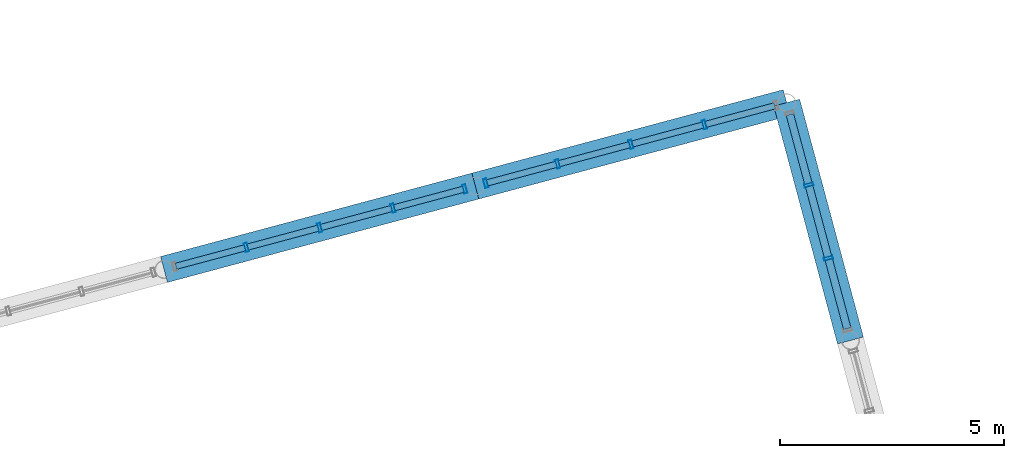
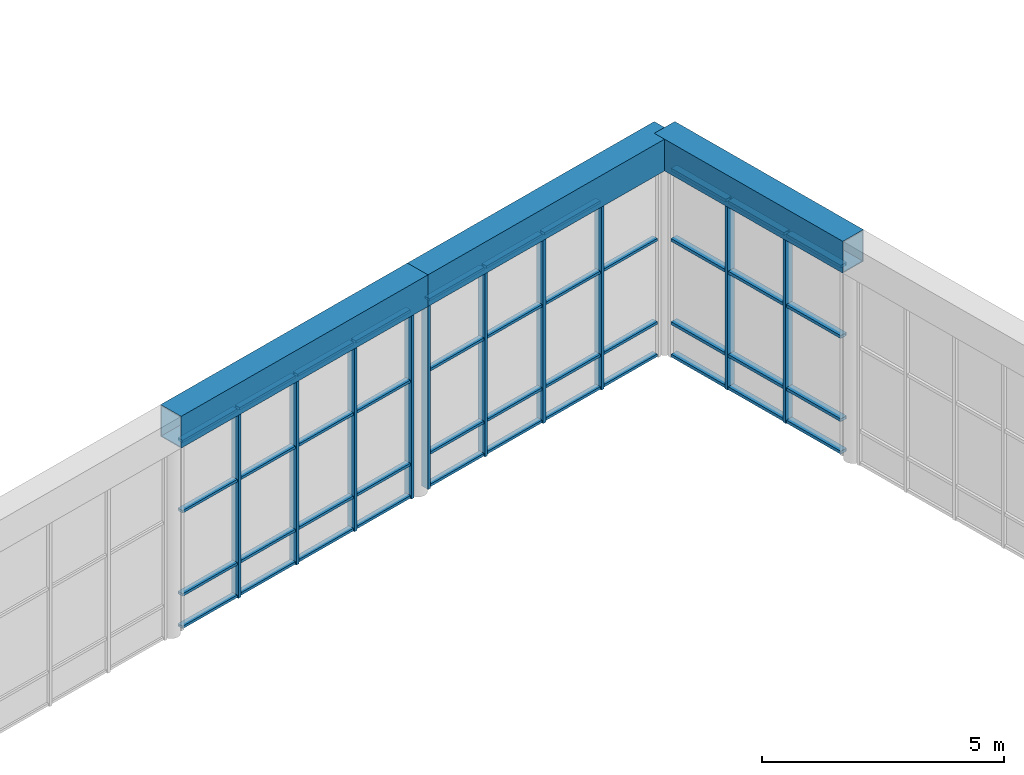
# One storey, part 35 of 55: 53 members, 3 beams, 3 elements without a shape of their own.
"""IFC4 building model written with IfcOpenShell, lengths in metres."""

from ifc_helpers import new_model, si_unit, direction, frame, origin, origin_2d, place, context, subcontext, project, spatial, hollow_rectangle, extrude, material, layer, layer_set, material_profile, profile_set, type_object, element, aggregate, save


model = new_model("IFC4")

# Units and contexts
model_context = context("Model", 3, precision=1e-05, world=origin(), true_north=direction((0.0, 1.0)))
body_context = subcontext(model_context, "Body", "Model", "MODEL_VIEW")
ifc_project = project(units=[si_unit("LENGTHUNIT", "METRE"), si_unit("AREAUNIT", "SQUARE_METRE"), si_unit("VOLUMEUNIT", "CUBIC_METRE"), si_unit("PLANEANGLEUNIT", "RADIAN"), si_unit("MASSUNIT", "GRAM", prefix="KILO")], contexts=[model_context])

# Site, building, storey
site_placement = place(None, origin())
site = spatial("IfcSite", under=ifc_project, at=site_placement, CompositionType="ELEMENT")
building_placement = place(site_placement, origin())
building = spatial("IfcBuilding", under=site, at=building_placement, Name="Ventoquebrada Cableway Terminal", CompositionType="ELEMENT")
storey_placement = place(building_placement, frame((0.0, 0.0, 14.39990234375)))
storey = spatial("IfcBuildingStorey", under=building, at=storey_placement, Name="L03", CompositionType="ELEMENT", Elevation=14.39990234375)

# Curtain wall, members
ifc_material_1 = material(Name="Anodized thermally-broken aluminium", Category="aluminium")
ifc_layer_1 = layer(ifc_material_1, 0.159912109375)
ifc_layer_set_1 = layer_set([ifc_layer_1], Name="Anodized thermally-broken aluminium")
curtain_wall_type_1 = type_object("IfcCurtainWallType", Name="CW-T42", PredefinedType="USERDEFINED", material=ifc_layer_set_1)
curtain_wall_1_placement = place(storey_placement, origin())
curtain_wall_1 = element("IfcCurtainWall", 1, at=curtain_wall_1_placement, inside=storey, type_object=curtain_wall_type_1, Name="Unitised glazed curtain wall CW-123", ObjectType="UNITISED CURTAIN WALL", PredefinedType="USERDEFINED")
ifc_material_profile_1 = material_profile(ifc_material_1, hollow_rectangle(XDim=0.074951171875, YDim=0.199951171875, WallThickness=0.00439453125, at=origin_2d()), Name="CW-MUL-75X200")
ifc_profile_set_1 = profile_set([ifc_material_profile_1], Name="Anodized thermally-broken aluminium")
member_type_1 = type_object("IfcMemberType", Name="CWM-02", PredefinedType="MULLION", material=ifc_profile_set_1)
member_1_placement = place(storey_placement, frame((72.83203125, 102.2890625, -0.0078125), z_axis=(0.0, 0.0, 1.0), x_axis=(-0.965948408834, -0.258734751187, 0.0)))
member_1 = element("IfcMember", 2, at=member_1_placement, type_object=member_type_1, Name="Curtain wall mullion FML-0596", PredefinedType="MULLION", context=body_context, shape_type="SweptSolid", body=[
    extrude(hollow_rectangle(XDim=0.074951171875, YDim=0.199951171875, WallThickness=0.00439453125, at=origin_2d()), origin(), (0.0, 0.0, 1.0), 4.762939453125),
])
member_2_placement = place(storey_placement, frame((71.22802734375, 101.85888671875, -0.0078125), z_axis=(0.0, 0.0, 1.0), x_axis=(-0.965948408834, -0.258734751187, 0.0)))
member_2 = element("IfcMember", 3, at=member_2_placement, type_object=member_type_1, Name="Curtain wall mullion FML-0597", PredefinedType="MULLION", context=body_context, shape_type="SweptSolid", body=[
    extrude(hollow_rectangle(XDim=0.074951171875, YDim=0.199951171875, WallThickness=0.00439453125, at=origin_2d()), origin(), (0.0, 0.0, 1.0), 4.762939453125),
])
member_3_placement = place(storey_placement, frame((69.590087890625, 101.4208984375, -0.0078125), z_axis=(0.0, 0.0, 1.0), x_axis=(-0.965948408834, -0.258734751187, 0.0)))
member_3 = element("IfcMember", 4, at=member_3_placement, type_object=member_type_1, Name="Curtain wall mullion FML-0598", PredefinedType="MULLION", context=body_context, shape_type="SweptSolid", body=[
    extrude(hollow_rectangle(XDim=0.074951171875, YDim=0.199951171875, WallThickness=0.00439453125, at=origin_2d()), origin(), (0.0, 0.0, 1.0), 4.762939453125),
])
member_4_placement = place(storey_placement, frame((67.951904296875, 100.98193359375, -0.0078125), z_axis=(0.0, 0.0, 1.0), x_axis=(-0.965948408834, -0.258734751187, 0.0)))
member_4 = element("IfcMember", 5, at=member_4_placement, type_object=member_type_1, Name="Curtain wall mullion FML-0599", PredefinedType="MULLION", context=body_context, shape_type="SweptSolid", body=[
    extrude(hollow_rectangle(XDim=0.074951171875, YDim=0.199951171875, WallThickness=0.00439453125, at=origin_2d()), origin(), (0.0, 0.0, 1.0), 4.762939453125),
])

curtain_wall_2_placement = place(storey_placement, origin())
curtain_wall_2 = element("IfcCurtainWall", 6, at=curtain_wall_2_placement, inside=storey, type_object=curtain_wall_type_1, Name="Unitised glazed curtain wall CW-124", ObjectType="UNITISED CURTAIN WALL", PredefinedType="USERDEFINED")
member_5_placement = place(storey_placement, frame((78.18310546875, 103.722900390625, -0.0078125), z_axis=(0.0, 0.0, 1.0), x_axis=(-0.965921308897, -0.258835903649, 0.0)))
member_5 = element("IfcMember", 7, at=member_5_placement, type_object=member_type_1, Name="Curtain wall mullion FML-0602", PredefinedType="MULLION", context=body_context, shape_type="SweptSolid", body=[
    extrude(hollow_rectangle(XDim=0.074951171875, YDim=0.199951171875, WallThickness=0.00439453125, at=origin_2d()), origin(), (0.0, 0.0, 1.0), 4.762939453125),
])
member_6_placement = place(storey_placement, frame((76.5439453125, 103.283935546875, -0.0078125), z_axis=(0.0, 0.0, 1.0), x_axis=(-0.965921308897, -0.258835903649, 0.0)))
member_6 = element("IfcMember", 8, at=member_6_placement, type_object=member_type_1, Name="Curtain wall mullion FML-0603", PredefinedType="MULLION", context=body_context, shape_type="SweptSolid", body=[
    extrude(hollow_rectangle(XDim=0.074951171875, YDim=0.199951171875, WallThickness=0.00439453125, at=origin_2d()), origin(), (0.0, 0.0, 1.0), 4.762939453125),
])
member_7_placement = place(storey_placement, frame((74.906005859375, 102.844970703125, -0.0078125), z_axis=(0.0, 0.0, 1.0), x_axis=(-0.965921308897, -0.258835903649, 0.0)))
member_7 = element("IfcMember", 9, at=member_7_placement, type_object=member_type_1, Name="Curtain wall mullion FML-0604", PredefinedType="MULLION", context=body_context, shape_type="SweptSolid", body=[
    extrude(hollow_rectangle(XDim=0.074951171875, YDim=0.199951171875, WallThickness=0.00439453125, at=origin_2d()), origin(), (0.0, 0.0, 1.0), 4.762939453125),
])
member_8_placement = place(storey_placement, frame((73.302001953125, 102.4150390625, -0.0078125), z_axis=(0.0, 0.0, 1.0), x_axis=(-0.965921308897, -0.258835903649, 0.0)))
member_8 = element("IfcMember", 10, at=member_8_placement, type_object=member_type_1, Name="Curtain wall mullion FML-0605", PredefinedType="MULLION", context=body_context, shape_type="SweptSolid", body=[
    extrude(hollow_rectangle(XDim=0.074951171875, YDim=0.199951171875, WallThickness=0.00439453125, at=origin_2d()), origin(), (0.0, 0.0, 1.0), 4.762939453125),
])

ifc_layer_2 = layer(ifc_material_1, 0.159912109375)
ifc_layer_set_2 = layer_set([ifc_layer_2], Name="Anodized thermally-broken aluminium")
curtain_wall_type_2 = type_object("IfcCurtainWallType", Name="CW-T43", PredefinedType="USERDEFINED", material=ifc_layer_set_2)
curtain_wall_3_placement = place(storey_placement, origin())
curtain_wall_3 = element("IfcCurtainWall", 11, at=curtain_wall_3_placement, inside=storey, type_object=curtain_wall_type_2, Name="Unitised glazed curtain wall CW-132", ObjectType="UNITISED CURTAIN WALL", PredefinedType="USERDEFINED")
member_9_placement = place(storey_placement, frame((80.952880859375, 100.740966796875, -0.0078125), z_axis=(0.0, 0.0, 1.0), x_axis=(-0.258835903649, 0.965921308897, 0.0)))
member_9 = element("IfcMember", 12, at=member_9_placement, type_object=member_type_1, Name="Curtain wall mullion FML-0643", PredefinedType="MULLION", context=body_context, shape_type="SweptSolid", body=[
    extrude(hollow_rectangle(XDim=0.074951171875, YDim=0.199951171875, WallThickness=0.00439453125, at=origin_2d()), origin(), (0.0, 0.0, 1.0), 4.762939453125),
])
member_10_placement = place(storey_placement, frame((80.514892578125, 102.3779296875, -0.0078125), z_axis=(0.0, 0.0, 1.0), x_axis=(-0.258835903649, 0.965921308897, 0.0)))
member_10 = element("IfcMember", 13, at=member_10_placement, type_object=member_type_1, Name="Curtain wall mullion FML-0644", PredefinedType="MULLION", context=body_context, shape_type="SweptSolid", body=[
    extrude(hollow_rectangle(XDim=0.074951171875, YDim=0.199951171875, WallThickness=0.00439453125, at=origin_2d()), origin(), (0.0, 0.0, 1.0), 4.762939453125),
])

# Member
ifc_material_profile_2 = material_profile(ifc_material_1, hollow_rectangle(XDim=0.06494140625, YDim=0.139892578125, WallThickness=0.00390625, at=origin_2d()), Name="CW-TRN-65X140")
ifc_profile_set_2 = profile_set([ifc_material_profile_2], Name="Anodized thermally-broken aluminium")
member_type_2 = type_object("IfcMemberType", Name="CWT-01", PredefinedType="USERDEFINED", material=ifc_profile_set_2)
member_11_placement = place(storey_placement, frame((72.801025390625, 102.281005859375, 0.03515625), z_axis=(-0.96593986049, -0.25876666307, 0.0), x_axis=(0.0, 0.0, 1.0)))
member_11 = element("IfcMember", 14, at=member_11_placement, type_object=member_type_2, Name="Curtain wall transom FTR-1760", ObjectType="TRANSOM", PredefinedType="USERDEFINED", context=body_context, shape_type="SweptSolid", body=[
    extrude(hollow_rectangle(XDim=0.06494140625, YDim=0.139892578125, WallThickness=0.00390625, at=origin_2d()), origin(), (0.0, 0.0, 1.0), 1.596435546875),
])

member_12_placement = place(storey_placement, frame((72.801025390625, 102.281005859375, 0.85009765625), z_axis=(-0.96593986049, -0.25876666307, 0.0), x_axis=(0.0, 0.0, 1.0)))
member_12 = element("IfcMember", 15, at=member_12_placement, type_object=member_type_2, Name="Curtain wall transom FTR-1761", ObjectType="TRANSOM", PredefinedType="USERDEFINED", context=body_context, shape_type="SweptSolid", body=[
    extrude(hollow_rectangle(XDim=0.06494140625, YDim=0.139892578125, WallThickness=0.00390625, at=origin_2d()), origin(), (0.0, 0.0, 1.0), 1.596435546875),
])

member_13_placement = place(storey_placement, frame((72.801025390625, 102.281005859375, 2.945068359375), z_axis=(-0.96593986049, -0.25876666307, 0.0), x_axis=(0.0, 0.0, 1.0)))
member_13 = element("IfcMember", 16, at=member_13_placement, type_object=member_type_2, Name="Curtain wall transom FTR-1762", ObjectType="TRANSOM", PredefinedType="USERDEFINED", context=body_context, shape_type="SweptSolid", body=[
    extrude(hollow_rectangle(XDim=0.06494140625, YDim=0.139892578125, WallThickness=0.00390625, at=origin_2d()), origin(), (0.0, 0.0, 1.0), 1.596435546875),
])

member_14_placement = place(storey_placement, frame((72.801025390625, 102.281005859375, 4.715087890625), z_axis=(-0.96593986049, -0.25876666307, 0.0), x_axis=(0.0, 0.0, 1.0)))
member_14 = element("IfcMember", 17, at=member_14_placement, type_object=member_type_2, Name="Curtain wall transom FTR-1763", ObjectType="TRANSOM", PredefinedType="USERDEFINED", context=body_context, shape_type="SweptSolid", body=[
    extrude(hollow_rectangle(XDim=0.06494140625, YDim=0.139892578125, WallThickness=0.00390625, at=origin_2d()), origin(), (0.0, 0.0, 1.0), 1.596435546875),
])

member_15_placement = place(storey_placement, frame((71.197021484375, 101.85107421875, 0.03515625), z_axis=(-0.965948719353, -0.258733591907, 0.0), x_axis=(0.0, 0.0, 1.0)))
member_15 = element("IfcMember", 18, at=member_15_placement, type_object=member_type_2, Name="Curtain wall transom FTR-1764", ObjectType="TRANSOM", PredefinedType="USERDEFINED", context=body_context, shape_type="SweptSolid", body=[
    extrude(hollow_rectangle(XDim=0.06494140625, YDim=0.139892578125, WallThickness=0.00390625, at=origin_2d()), origin(), (0.0, 0.0, 1.0), 1.631591796875),
])

member_16_placement = place(storey_placement, frame((71.197021484375, 101.85107421875, 0.85009765625), z_axis=(-0.965948719353, -0.258733591907, 0.0), x_axis=(0.0, 0.0, 1.0)))
member_16 = element("IfcMember", 19, at=member_16_placement, type_object=member_type_2, Name="Curtain wall transom FTR-1765", ObjectType="TRANSOM", PredefinedType="USERDEFINED", context=body_context, shape_type="SweptSolid", body=[
    extrude(hollow_rectangle(XDim=0.06494140625, YDim=0.139892578125, WallThickness=0.00390625, at=origin_2d()), origin(), (0.0, 0.0, 1.0), 1.631591796875),
])

member_17_placement = place(storey_placement, frame((71.197021484375, 101.85107421875, 2.945068359375), z_axis=(-0.965948719353, -0.258733591907, 0.0), x_axis=(0.0, 0.0, 1.0)))
member_17 = element("IfcMember", 20, at=member_17_placement, type_object=member_type_2, Name="Curtain wall transom FTR-1766", ObjectType="TRANSOM", PredefinedType="USERDEFINED", context=body_context, shape_type="SweptSolid", body=[
    extrude(hollow_rectangle(XDim=0.06494140625, YDim=0.139892578125, WallThickness=0.00390625, at=origin_2d()), origin(), (0.0, 0.0, 1.0), 1.631591796875),
])

member_18_placement = place(storey_placement, frame((71.197021484375, 101.85107421875, 4.715087890625), z_axis=(-0.965948719353, -0.258733591907, 0.0), x_axis=(0.0, 0.0, 1.0)))
member_18 = element("IfcMember", 21, at=member_18_placement, type_object=member_type_2, Name="Curtain wall transom FTR-1767", ObjectType="TRANSOM", PredefinedType="USERDEFINED", context=body_context, shape_type="SweptSolid", body=[
    extrude(hollow_rectangle(XDim=0.06494140625, YDim=0.139892578125, WallThickness=0.00390625, at=origin_2d()), origin(), (0.0, 0.0, 1.0), 1.631591796875),
])

member_19_placement = place(storey_placement, frame((69.55908203125, 101.412109375, 0.03515625), z_axis=(-0.965958734776, -0.258696197712, 0.0), x_axis=(0.0, 0.0, 1.0)))
member_19 = element("IfcMember", 22, at=member_19_placement, type_object=member_type_2, Name="Curtain wall transom FTR-1768", ObjectType="TRANSOM", PredefinedType="USERDEFINED", context=body_context, shape_type="SweptSolid", body=[
    extrude(hollow_rectangle(XDim=0.06494140625, YDim=0.139892578125, WallThickness=0.00390625, at=origin_2d()), origin(), (0.0, 0.0, 1.0), 1.6318359375),
])

member_20_placement = place(storey_placement, frame((69.55908203125, 101.412109375, 0.85009765625), z_axis=(-0.965958734776, -0.258696197712, 0.0), x_axis=(0.0, 0.0, 1.0)))
member_20 = element("IfcMember", 23, at=member_20_placement, type_object=member_type_2, Name="Curtain wall transom FTR-1769", ObjectType="TRANSOM", PredefinedType="USERDEFINED", context=body_context, shape_type="SweptSolid", body=[
    extrude(hollow_rectangle(XDim=0.06494140625, YDim=0.139892578125, WallThickness=0.00390625, at=origin_2d()), origin(), (0.0, 0.0, 1.0), 1.6318359375),
])

member_21_placement = place(storey_placement, frame((69.55908203125, 101.412109375, 2.945068359375), z_axis=(-0.965958734776, -0.258696197712, 0.0), x_axis=(0.0, 0.0, 1.0)))
member_21 = element("IfcMember", 24, at=member_21_placement, type_object=member_type_2, Name="Curtain wall transom FTR-1770", ObjectType="TRANSOM", PredefinedType="USERDEFINED", context=body_context, shape_type="SweptSolid", body=[
    extrude(hollow_rectangle(XDim=0.06494140625, YDim=0.139892578125, WallThickness=0.00390625, at=origin_2d()), origin(), (0.0, 0.0, 1.0), 1.6318359375),
])

member_22_placement = place(storey_placement, frame((69.55908203125, 101.412109375, 4.715087890625), z_axis=(-0.965958734776, -0.258696197712, 0.0), x_axis=(0.0, 0.0, 1.0)))
member_22 = element("IfcMember", 25, at=member_22_placement, type_object=member_type_2, Name="Curtain wall transom FTR-1771", ObjectType="TRANSOM", PredefinedType="USERDEFINED", context=body_context, shape_type="SweptSolid", body=[
    extrude(hollow_rectangle(XDim=0.06494140625, YDim=0.139892578125, WallThickness=0.00390625, at=origin_2d()), origin(), (0.0, 0.0, 1.0), 1.6318359375),
])

member_23_placement = place(storey_placement, frame((67.9208984375, 100.972900390625, 0.03515625), z_axis=(-0.965978078124, -0.258623959802, 0.0), x_axis=(0.0, 0.0, 1.0)))
member_23 = element("IfcMember", 26, at=member_23_placement, type_object=member_type_2, Name="Curtain wall transom FTR-1772", ObjectType="TRANSOM", PredefinedType="USERDEFINED", context=body_context, shape_type="SweptSolid", body=[
    extrude(hollow_rectangle(XDim=0.06494140625, YDim=0.139892578125, WallThickness=0.00390625, at=origin_2d()), origin(), (0.0, 0.0, 1.0), 1.59619140625),
])

member_24_placement = place(storey_placement, frame((67.9208984375, 100.972900390625, 0.85009765625), z_axis=(-0.965978078124, -0.258623959802, 0.0), x_axis=(0.0, 0.0, 1.0)))
member_24 = element("IfcMember", 27, at=member_24_placement, type_object=member_type_2, Name="Curtain wall transom FTR-1773", ObjectType="TRANSOM", PredefinedType="USERDEFINED", context=body_context, shape_type="SweptSolid", body=[
    extrude(hollow_rectangle(XDim=0.06494140625, YDim=0.139892578125, WallThickness=0.00390625, at=origin_2d()), origin(), (0.0, 0.0, 1.0), 1.59619140625),
])

member_25_placement = place(storey_placement, frame((67.9208984375, 100.972900390625, 2.945068359375), z_axis=(-0.965978078124, -0.258623959802, 0.0), x_axis=(0.0, 0.0, 1.0)))
member_25 = element("IfcMember", 28, at=member_25_placement, type_object=member_type_2, Name="Curtain wall transom FTR-1774", ObjectType="TRANSOM", PredefinedType="USERDEFINED", context=body_context, shape_type="SweptSolid", body=[
    extrude(hollow_rectangle(XDim=0.06494140625, YDim=0.139892578125, WallThickness=0.00390625, at=origin_2d()), origin(), (0.0, 0.0, 1.0), 1.59619140625),
])

member_26_placement = place(storey_placement, frame((67.9208984375, 100.972900390625, 4.715087890625), z_axis=(-0.965978078124, -0.258623959802, 0.0), x_axis=(0.0, 0.0, 1.0)))
member_26 = element("IfcMember", 29, at=member_26_placement, type_object=member_type_2, Name="Curtain wall transom FTR-1775", ObjectType="TRANSOM", PredefinedType="USERDEFINED", context=body_context, shape_type="SweptSolid", body=[
    extrude(hollow_rectangle(XDim=0.06494140625, YDim=0.139892578125, WallThickness=0.00390625, at=origin_2d()), origin(), (0.0, 0.0, 1.0), 1.59619140625),
])

aggregate(curtain_wall_1, [member_1, member_2, member_3, member_4, member_11, member_12, member_13, member_14, member_15, member_16, member_17, member_18, member_19, member_20, member_21, member_22, member_23, member_24, member_25, member_26])

member_27_placement = place(storey_placement, frame((79.756103515625, 104.14501953125, 0.03515625), z_axis=(-0.965786809484, -0.259337306663, 0.0), x_axis=(0.0, 0.0, 1.0)))
member_27 = element("IfcMember", 30, at=member_27_placement, type_object=member_type_2, Name="Curtain wall transom FTR-1776", ObjectType="TRANSOM", PredefinedType="USERDEFINED", context=body_context, shape_type="SweptSolid", body=[
    extrude(hollow_rectangle(XDim=0.06494140625, YDim=0.139892578125, WallThickness=0.00390625, at=origin_2d()), origin(), (0.0, 0.0, 1.0), 1.5966796875),
])

member_28_placement = place(storey_placement, frame((79.756103515625, 104.14501953125, 0.85009765625), z_axis=(-0.965786809484, -0.259337306663, 0.0), x_axis=(0.0, 0.0, 1.0)))
member_28 = element("IfcMember", 31, at=member_28_placement, type_object=member_type_2, Name="Curtain wall transom FTR-1777", ObjectType="TRANSOM", PredefinedType="USERDEFINED", context=body_context, shape_type="SweptSolid", body=[
    extrude(hollow_rectangle(XDim=0.06494140625, YDim=0.139892578125, WallThickness=0.00390625, at=origin_2d()), origin(), (0.0, 0.0, 1.0), 1.5966796875),
])

member_29_placement = place(storey_placement, frame((79.756103515625, 104.14501953125, 2.945068359375), z_axis=(-0.965786809484, -0.259337306663, 0.0), x_axis=(0.0, 0.0, 1.0)))
member_29 = element("IfcMember", 32, at=member_29_placement, type_object=member_type_2, Name="Curtain wall transom FTR-1778", ObjectType="TRANSOM", PredefinedType="USERDEFINED", context=body_context, shape_type="SweptSolid", body=[
    extrude(hollow_rectangle(XDim=0.06494140625, YDim=0.139892578125, WallThickness=0.00390625, at=origin_2d()), origin(), (0.0, 0.0, 1.0), 1.5966796875),
])

member_30_placement = place(storey_placement, frame((78.15087890625, 103.715087890625, 0.03515625), z_axis=(-0.965758711312, -0.259441923222, 0.0), x_axis=(0.0, 0.0, 1.0)))
member_30 = element("IfcMember", 33, at=member_30_placement, type_object=member_type_2, Name="Curtain wall transom FTR-1780", ObjectType="TRANSOM", PredefinedType="USERDEFINED", context=body_context, shape_type="SweptSolid", body=[
    extrude(hollow_rectangle(XDim=0.06494140625, YDim=0.139892578125, WallThickness=0.00390625, at=origin_2d()), origin(), (0.0, 0.0, 1.0), 1.630859375),
])

member_31_placement = place(storey_placement, frame((78.15087890625, 103.715087890625, 0.85009765625), z_axis=(-0.965758711312, -0.259441923222, 0.0), x_axis=(0.0, 0.0, 1.0)))
member_31 = element("IfcMember", 34, at=member_31_placement, type_object=member_type_2, Name="Curtain wall transom FTR-1781", ObjectType="TRANSOM", PredefinedType="USERDEFINED", context=body_context, shape_type="SweptSolid", body=[
    extrude(hollow_rectangle(XDim=0.06494140625, YDim=0.139892578125, WallThickness=0.00390625, at=origin_2d()), origin(), (0.0, 0.0, 1.0), 1.630859375),
])

member_32_placement = place(storey_placement, frame((78.15087890625, 103.715087890625, 2.945068359375), z_axis=(-0.965758711312, -0.259441923222, 0.0), x_axis=(0.0, 0.0, 1.0)))
member_32 = element("IfcMember", 35, at=member_32_placement, type_object=member_type_2, Name="Curtain wall transom FTR-1782", ObjectType="TRANSOM", PredefinedType="USERDEFINED", context=body_context, shape_type="SweptSolid", body=[
    extrude(hollow_rectangle(XDim=0.06494140625, YDim=0.139892578125, WallThickness=0.00390625, at=origin_2d()), origin(), (0.0, 0.0, 1.0), 1.630859375),
])

member_33_placement = place(storey_placement, frame((78.15087890625, 103.715087890625, 4.715087890625), z_axis=(-0.965758711312, -0.259441923222, 0.0), x_axis=(0.0, 0.0, 1.0)))
member_33 = element("IfcMember", 36, at=member_33_placement, type_object=member_type_2, Name="Curtain wall transom FTR-1783", ObjectType="TRANSOM", PredefinedType="USERDEFINED", context=body_context, shape_type="SweptSolid", body=[
    extrude(hollow_rectangle(XDim=0.06494140625, YDim=0.139892578125, WallThickness=0.00390625, at=origin_2d()), origin(), (0.0, 0.0, 1.0), 1.630859375),
])

member_34_placement = place(storey_placement, frame((76.512939453125, 103.27587890625, 0.03515625), z_axis=(-0.96579621296, -0.259302285048, 0.0), x_axis=(0.0, 0.0, 1.0)))
member_34 = element("IfcMember", 37, at=member_34_placement, type_object=member_type_2, Name="Curtain wall transom FTR-1784", ObjectType="TRANSOM", PredefinedType="USERDEFINED", context=body_context, shape_type="SweptSolid", body=[
    extrude(hollow_rectangle(XDim=0.06494140625, YDim=0.139892578125, WallThickness=0.00390625, at=origin_2d()), origin(), (0.0, 0.0, 1.0), 1.630615234375),
])

member_35_placement = place(storey_placement, frame((76.512939453125, 103.27587890625, 0.85009765625), z_axis=(-0.96579621296, -0.259302285048, 0.0), x_axis=(0.0, 0.0, 1.0)))
member_35 = element("IfcMember", 38, at=member_35_placement, type_object=member_type_2, Name="Curtain wall transom FTR-1785", ObjectType="TRANSOM", PredefinedType="USERDEFINED", context=body_context, shape_type="SweptSolid", body=[
    extrude(hollow_rectangle(XDim=0.06494140625, YDim=0.139892578125, WallThickness=0.00390625, at=origin_2d()), origin(), (0.0, 0.0, 1.0), 1.630615234375),
])

member_36_placement = place(storey_placement, frame((76.512939453125, 103.27587890625, 2.945068359375), z_axis=(-0.96579621296, -0.259302285048, 0.0), x_axis=(0.0, 0.0, 1.0)))
member_36 = element("IfcMember", 39, at=member_36_placement, type_object=member_type_2, Name="Curtain wall transom FTR-1786", ObjectType="TRANSOM", PredefinedType="USERDEFINED", context=body_context, shape_type="SweptSolid", body=[
    extrude(hollow_rectangle(XDim=0.06494140625, YDim=0.139892578125, WallThickness=0.00390625, at=origin_2d()), origin(), (0.0, 0.0, 1.0), 1.630615234375),
])

member_37_placement = place(storey_placement, frame((76.512939453125, 103.27587890625, 4.715087890625), z_axis=(-0.96579621296, -0.259302285048, 0.0), x_axis=(0.0, 0.0, 1.0)))
member_37 = element("IfcMember", 40, at=member_37_placement, type_object=member_type_2, Name="Curtain wall transom FTR-1787", ObjectType="TRANSOM", PredefinedType="USERDEFINED", context=body_context, shape_type="SweptSolid", body=[
    extrude(hollow_rectangle(XDim=0.06494140625, YDim=0.139892578125, WallThickness=0.00390625, at=origin_2d()), origin(), (0.0, 0.0, 1.0), 1.630615234375),
])

member_38_placement = place(storey_placement, frame((74.875, 102.8369140625, 0.03515625), z_axis=(-0.965825099292, -0.2591946712, 0.0), x_axis=(0.0, 0.0, 1.0)))
member_38 = element("IfcMember", 41, at=member_38_placement, type_object=member_type_2, Name="Curtain wall transom FTR-1788", ObjectType="TRANSOM", PredefinedType="USERDEFINED", context=body_context, shape_type="SweptSolid", body=[
    extrude(hollow_rectangle(XDim=0.06494140625, YDim=0.139892578125, WallThickness=0.00390625, at=origin_2d()), origin(), (0.0, 0.0, 1.0), 1.596435546875),
])

member_39_placement = place(storey_placement, frame((74.875, 102.8369140625, 0.85009765625), z_axis=(-0.965825099292, -0.2591946712, 0.0), x_axis=(0.0, 0.0, 1.0)))
member_39 = element("IfcMember", 42, at=member_39_placement, type_object=member_type_2, Name="Curtain wall transom FTR-1789", ObjectType="TRANSOM", PredefinedType="USERDEFINED", context=body_context, shape_type="SweptSolid", body=[
    extrude(hollow_rectangle(XDim=0.06494140625, YDim=0.139892578125, WallThickness=0.00390625, at=origin_2d()), origin(), (0.0, 0.0, 1.0), 1.596435546875),
])

member_40_placement = place(storey_placement, frame((74.875, 102.8369140625, 2.945068359375), z_axis=(-0.965825099292, -0.2591946712, 0.0), x_axis=(0.0, 0.0, 1.0)))
member_40 = element("IfcMember", 43, at=member_40_placement, type_object=member_type_2, Name="Curtain wall transom FTR-1790", ObjectType="TRANSOM", PredefinedType="USERDEFINED", context=body_context, shape_type="SweptSolid", body=[
    extrude(hollow_rectangle(XDim=0.06494140625, YDim=0.139892578125, WallThickness=0.00390625, at=origin_2d()), origin(), (0.0, 0.0, 1.0), 1.596435546875),
])

member_41_placement = place(storey_placement, frame((74.875, 102.8369140625, 4.715087890625), z_axis=(-0.965825099292, -0.2591946712, 0.0), x_axis=(0.0, 0.0, 1.0)))
member_41 = element("IfcMember", 44, at=member_41_placement, type_object=member_type_2, Name="Curtain wall transom FTR-1791", ObjectType="TRANSOM", PredefinedType="USERDEFINED", context=body_context, shape_type="SweptSolid", body=[
    extrude(hollow_rectangle(XDim=0.06494140625, YDim=0.139892578125, WallThickness=0.00390625, at=origin_2d()), origin(), (0.0, 0.0, 1.0), 1.596435546875),
])

aggregate(curtain_wall_2, [member_5, member_6, member_7, member_8, member_27, member_28, member_29, member_30, member_31, member_32, member_33, member_34, member_35, member_36, member_37, member_38, member_39, member_40, member_41])

ifc_material_profile_3 = material_profile(ifc_material_1, hollow_rectangle(XDim=0.074951171875, YDim=0.169921875, WallThickness=0.00439453125, at=origin_2d()), Name="CW-TRN-75X170")
ifc_profile_set_3 = profile_set([ifc_material_profile_3], Name="Anodized thermally-broken aluminium")
member_type_3 = type_object("IfcMemberType", Name="CWT-03", PredefinedType="USERDEFINED", material=ifc_profile_set_3)
member_42_placement = place(storey_placement, frame((81.375, 99.1689453125, 0.03515625), z_axis=(-0.258919656878, 0.965898861829, 0.0), x_axis=(0.0, 0.0, 1.0)))
member_42 = element("IfcMember", 45, at=member_42_placement, type_object=member_type_3, Name="Curtain wall transom FTR-1908", ObjectType="TRANSOM", PredefinedType="USERDEFINED", context=body_context, shape_type="SweptSolid", body=[
    extrude(hollow_rectangle(XDim=0.074951171875, YDim=0.169921875, WallThickness=0.00439453125, at=origin_2d()), origin(), (0.0, 0.0, 1.0), 1.595458984375),
])

member_43_placement = place(storey_placement, frame((81.375, 99.1689453125, 0.85009765625), z_axis=(-0.258919656878, 0.965898861829, 0.0), x_axis=(0.0, 0.0, 1.0)))
member_43 = element("IfcMember", 46, at=member_43_placement, type_object=member_type_3, Name="Curtain wall transom FTR-1909", ObjectType="TRANSOM", PredefinedType="USERDEFINED", context=body_context, shape_type="SweptSolid", body=[
    extrude(hollow_rectangle(XDim=0.074951171875, YDim=0.169921875, WallThickness=0.00439453125, at=origin_2d()), origin(), (0.0, 0.0, 1.0), 1.595458984375),
])

member_44_placement = place(storey_placement, frame((81.375, 99.1689453125, 2.945068359375), z_axis=(-0.258919656878, 0.965898861829, 0.0), x_axis=(0.0, 0.0, 1.0)))
member_44 = element("IfcMember", 47, at=member_44_placement, type_object=member_type_3, Name="Curtain wall transom FTR-1910", ObjectType="TRANSOM", PredefinedType="USERDEFINED", context=body_context, shape_type="SweptSolid", body=[
    extrude(hollow_rectangle(XDim=0.074951171875, YDim=0.169921875, WallThickness=0.00439453125, at=origin_2d()), origin(), (0.0, 0.0, 1.0), 1.595458984375),
])

member_45_placement = place(storey_placement, frame((81.375, 99.1689453125, 4.715087890625), z_axis=(-0.258919656878, 0.965898861829, 0.0), x_axis=(0.0, 0.0, 1.0)))
member_45 = element("IfcMember", 48, at=member_45_placement, type_object=member_type_3, Name="Curtain wall transom FTR-1911", ObjectType="TRANSOM", PredefinedType="USERDEFINED", context=body_context, shape_type="SweptSolid", body=[
    extrude(hollow_rectangle(XDim=0.074951171875, YDim=0.169921875, WallThickness=0.00439453125, at=origin_2d()), origin(), (0.0, 0.0, 1.0), 1.595458984375),
])

member_46_placement = place(storey_placement, frame((80.945068359375, 100.77197265625, 0.03515625), z_axis=(-0.258883272972, 0.965908614195, 0.0), x_axis=(0.0, 0.0, 1.0)))
member_46 = element("IfcMember", 49, at=member_46_placement, type_object=member_type_3, Name="Curtain wall transom FTR-1912", ObjectType="TRANSOM", PredefinedType="USERDEFINED", context=body_context, shape_type="SweptSolid", body=[
    extrude(hollow_rectangle(XDim=0.074951171875, YDim=0.169921875, WallThickness=0.00439453125, at=origin_2d()), origin(), (0.0, 0.0, 1.0), 1.630615234375),
])

member_47_placement = place(storey_placement, frame((80.945068359375, 100.77197265625, 0.85009765625), z_axis=(-0.258883272972, 0.965908614195, 0.0), x_axis=(0.0, 0.0, 1.0)))
member_47 = element("IfcMember", 50, at=member_47_placement, type_object=member_type_3, Name="Curtain wall transom FTR-1913", ObjectType="TRANSOM", PredefinedType="USERDEFINED", context=body_context, shape_type="SweptSolid", body=[
    extrude(hollow_rectangle(XDim=0.074951171875, YDim=0.169921875, WallThickness=0.00439453125, at=origin_2d()), origin(), (0.0, 0.0, 1.0), 1.630615234375),
])

member_48_placement = place(storey_placement, frame((80.945068359375, 100.77197265625, 2.945068359375), z_axis=(-0.258883272972, 0.965908614195, 0.0), x_axis=(0.0, 0.0, 1.0)))
member_48 = element("IfcMember", 51, at=member_48_placement, type_object=member_type_3, Name="Curtain wall transom FTR-1914", ObjectType="TRANSOM", PredefinedType="USERDEFINED", context=body_context, shape_type="SweptSolid", body=[
    extrude(hollow_rectangle(XDim=0.074951171875, YDim=0.169921875, WallThickness=0.00439453125, at=origin_2d()), origin(), (0.0, 0.0, 1.0), 1.630615234375),
])

member_49_placement = place(storey_placement, frame((80.945068359375, 100.77197265625, 4.715087890625), z_axis=(-0.258883272972, 0.965908614195, 0.0), x_axis=(0.0, 0.0, 1.0)))
member_49 = element("IfcMember", 52, at=member_49_placement, type_object=member_type_3, Name="Curtain wall transom FTR-1915", ObjectType="TRANSOM", PredefinedType="USERDEFINED", context=body_context, shape_type="SweptSolid", body=[
    extrude(hollow_rectangle(XDim=0.074951171875, YDim=0.169921875, WallThickness=0.00439453125, at=origin_2d()), origin(), (0.0, 0.0, 1.0), 1.630615234375),
])

member_50_placement = place(storey_placement, frame((80.506103515625, 102.408935546875, 0.03515625), z_axis=(-0.258919656878, 0.965898861829, 0.0), x_axis=(0.0, 0.0, 1.0)))
member_50 = element("IfcMember", 53, at=member_50_placement, type_object=member_type_3, Name="Curtain wall transom FTR-1916", ObjectType="TRANSOM", PredefinedType="USERDEFINED", context=body_context, shape_type="SweptSolid", body=[
    extrude(hollow_rectangle(XDim=0.074951171875, YDim=0.169921875, WallThickness=0.00439453125, at=origin_2d()), origin(), (0.0, 0.0, 1.0), 1.595458984375),
])

member_51_placement = place(storey_placement, frame((80.506103515625, 102.408935546875, 0.85009765625), z_axis=(-0.258919656878, 0.965898861829, 0.0), x_axis=(0.0, 0.0, 1.0)))
member_51 = element("IfcMember", 54, at=member_51_placement, type_object=member_type_3, Name="Curtain wall transom FTR-1917", ObjectType="TRANSOM", PredefinedType="USERDEFINED", context=body_context, shape_type="SweptSolid", body=[
    extrude(hollow_rectangle(XDim=0.074951171875, YDim=0.169921875, WallThickness=0.00439453125, at=origin_2d()), origin(), (0.0, 0.0, 1.0), 1.595458984375),
])

member_52_placement = place(storey_placement, frame((80.506103515625, 102.408935546875, 2.945068359375), z_axis=(-0.258919656878, 0.965898861829, 0.0), x_axis=(0.0, 0.0, 1.0)))
member_52 = element("IfcMember", 55, at=member_52_placement, type_object=member_type_3, Name="Curtain wall transom FTR-1918", ObjectType="TRANSOM", PredefinedType="USERDEFINED", context=body_context, shape_type="SweptSolid", body=[
    extrude(hollow_rectangle(XDim=0.074951171875, YDim=0.169921875, WallThickness=0.00439453125, at=origin_2d()), origin(), (0.0, 0.0, 1.0), 1.595458984375),
])

member_53_placement = place(storey_placement, frame((80.506103515625, 102.408935546875, 4.715087890625), z_axis=(-0.258919656878, 0.965898861829, 0.0), x_axis=(0.0, 0.0, 1.0)))
member_53 = element("IfcMember", 56, at=member_53_placement, type_object=member_type_3, Name="Curtain wall transom FTR-1919", ObjectType="TRANSOM", PredefinedType="USERDEFINED", context=body_context, shape_type="SweptSolid", body=[
    extrude(hollow_rectangle(XDim=0.074951171875, YDim=0.169921875, WallThickness=0.00439453125, at=origin_2d()), origin(), (0.0, 0.0, 1.0), 1.595458984375),
])

aggregate(curtain_wall_3, [member_9, member_10, member_42, member_43, member_44, member_45, member_46, member_47, member_48, member_49, member_50, member_51, member_52, member_53])

# Beams
ifc_material_2 = material(Name="Steel ASTM A572 Grade 50", Category="steel")
ifc_material_profile_4 = material_profile(ifc_material_2, hollow_rectangle(XDim=0.60009765625, YDim=0.800048828125, WallThickness=0.02490234375, at=origin_2d()), Name="BOX600X800X25")
ifc_profile_set_4 = profile_set([ifc_material_profile_4], Name="Steel ASTM A572 Grade 50")
beam_type = type_object("IfcBeamType", Name="RNG-ST01", PredefinedType="BEAM", material=ifc_profile_set_4)
beam_1_placement = place(storey_placement, frame((81.446044921875, 98.903076171875, 5.2001953125), z_axis=(-0.258897298886, 0.965904854853, 0.0), x_axis=(-0.965904854853, -0.258897298886, 0.0)))
element("IfcBeam", 57, at=beam_1_placement, inside=storey, type_object=beam_type, Name="Gridshell compression-tension ring beam FBM-1135", PredefinedType="BEAM", context=body_context, shape_type="SweptSolid", body=[
    extrude(hollow_rectangle(XDim=0.60009765625, YDim=0.800048828125, WallThickness=0.02490234375, at=origin_2d()), origin(), (0.0, 0.0, 1.0), 5.50048828125),
])
beam_2_placement = place(storey_placement, frame((66.113037109375, 100.489013671875, 5.2001953125), z_axis=(0.965934277216, 0.258787503754, 0.0), x_axis=(-0.258787503754, 0.965934277216, 0.0)))
element("IfcBeam", 58, at=beam_2_placement, inside=storey, type_object=beam_type, Name="Gridshell compression-tension ring beam FBM-1144", PredefinedType="BEAM", context=body_context, shape_type="SweptSolid", body=[
    extrude(hollow_rectangle(XDim=0.60009765625, YDim=0.800048828125, WallThickness=0.02490234375, at=origin_2d()), origin(), (0.0, 0.0, 1.0), 7.19921875),
])
beam_3_placement = place(storey_placement, frame((73.06689453125, 102.35205078125, 5.2001953125), z_axis=(0.96591172503, 0.258871665986, 0.0), x_axis=(-0.258871665986, 0.96591172503, 0.0)))
element("IfcBeam", 59, at=beam_3_placement, inside=storey, type_object=beam_type, Name="Gridshell compression-tension ring beam FBM-1145", PredefinedType="BEAM", context=body_context, shape_type="SweptSolid", body=[
    extrude(hollow_rectangle(XDim=0.60009765625, YDim=0.800048828125, WallThickness=0.02490234375, at=origin_2d()), origin(), (0.0, 0.0, 1.0), 7.200439453125),
])

save(model, "model.ifc")
